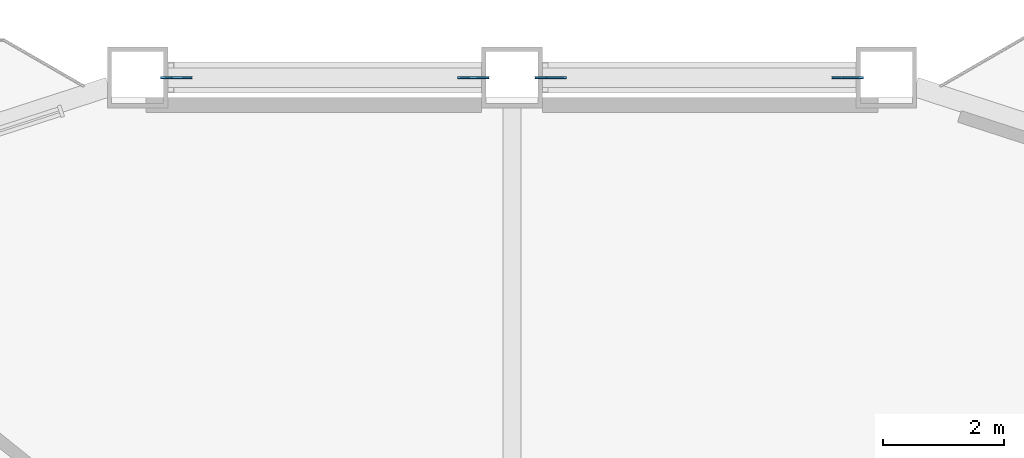
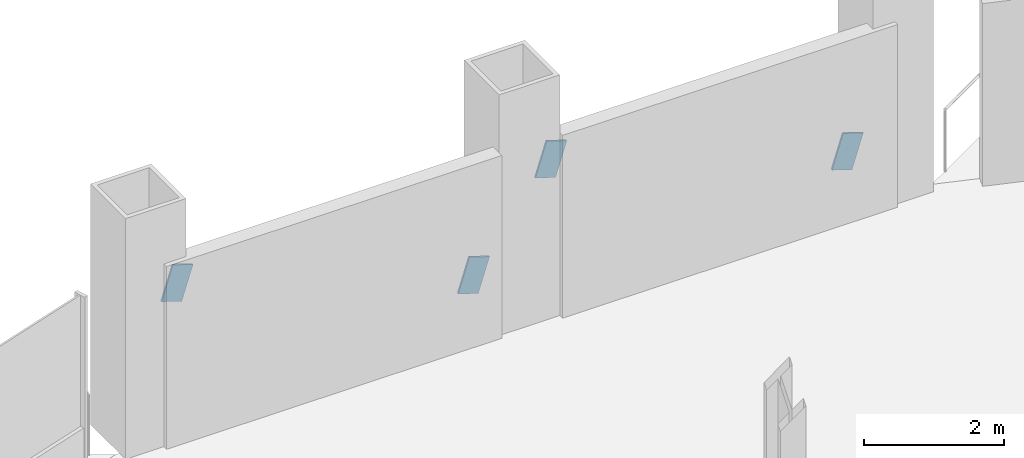
# One storey, part 16 of 21: 4 discrete accessories.
"""IFC4 building model written with IfcOpenShell, lengths in metres."""

from ifc_helpers import new_model, si_unit, direction, frame, origin, origin_2d, place, context, subcontext, project, spatial, rectangle, extrude, material, material_profile, profile_set, type_object, element, save


model = new_model("IFC4")

# Units and contexts
model_context = context("Model", 3, precision=1e-05, world=origin(), true_north=direction((0.0, 1.0)))
body_context = subcontext(model_context, "Body", "Model", "MODEL_VIEW")
ifc_project = project(units=[si_unit("LENGTHUNIT", "METRE"), si_unit("AREAUNIT", "SQUARE_METRE"), si_unit("VOLUMEUNIT", "CUBIC_METRE"), si_unit("PLANEANGLEUNIT", "RADIAN"), si_unit("MASSUNIT", "GRAM", prefix="KILO")], contexts=[model_context])

# Site, building, storey
site_placement = place(None, origin())
site = spatial("IfcSite", under=ifc_project, at=site_placement, CompositionType="ELEMENT")
building_placement = place(site_placement, origin())
building = spatial("IfcBuilding", under=site, at=building_placement, Name="Cormorant Prow Tower", CompositionType="ELEMENT")
storey_placement = place(building_placement, frame((0.0, 0.0, 51.0)))
storey = spatial("IfcBuildingStorey", under=building, at=storey_placement, Name="L10", CompositionType="ELEMENT", Elevation=51.0)

# Discrete accessories
ifc_material = material(Name="Structural steel ASTM A500 Gr C", Category="steel")
ifc_material_profile = material_profile(ifc_material, rectangle(XDim=0.031982421875, YDim=0.60791015625, at=origin_2d()), Name="Gusset plate 32x608")
ifc_profile_set = profile_set([ifc_material_profile], Name="Structural steel ASTM A500 Gr C")
discrete_accessory_type = type_object("IfcDiscreteAccessoryType", Name="Gusset plate 32x608", PredefinedType="BRACKET", material=ifc_profile_set)
for number, where, z_axis, x_axis, name in (
    (1, (5.365478515625, 32.233642578125, 0.859375), (0.951708617761, 0.0, -0.307002779923), (0.0, 1.0, 0.0), "Gusset plate GP1 L10.N00.g0"),
    (2, (0.80419921875, 32.233642578125, 2.32958984375), (-0.951708617761, 0.0, 0.307002779923), (0.0, -1.0, 0.0), "Gusset plate GP1 L10.N00.g1"),
    (3, (-0.80419921875, 32.233642578125, 0.859375), (0.951708617761, 0.0, -0.307002779923), (0.0, 1.0, 0.0), "Gusset plate GP1 L10.N01.g0"),
    (4, (-5.365478515625, 32.233642578125, 2.32958984375), (-0.951708617761, 0.0, 0.307002779923), (0.0, -1.0, 0.0), "Gusset plate GP1 L10.N01.g1"),
):
    element("IfcDiscreteAccessory", number, at=place(storey_placement, frame(where, z_axis=z_axis, x_axis=x_axis)), inside=storey, type_object=discrete_accessory_type, Name=name, PredefinedType="BRACKET", context=body_context, shape_type="SweptSolid", body=[
        extrude(rectangle(XDim=0.031982421875, YDim=0.60791015625, at=origin_2d()), origin(), (0.0, 0.0, 1.0), 0.349853515625),
    ])

save(model, "model.ifc")
